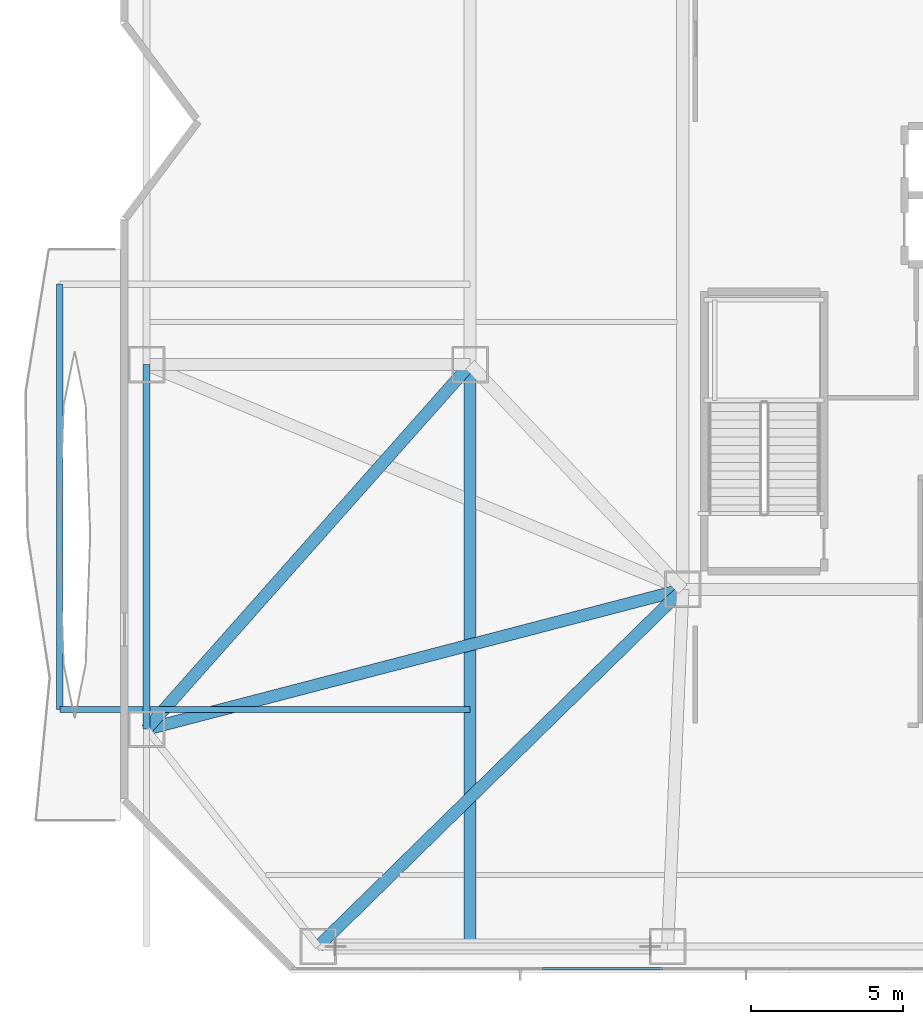
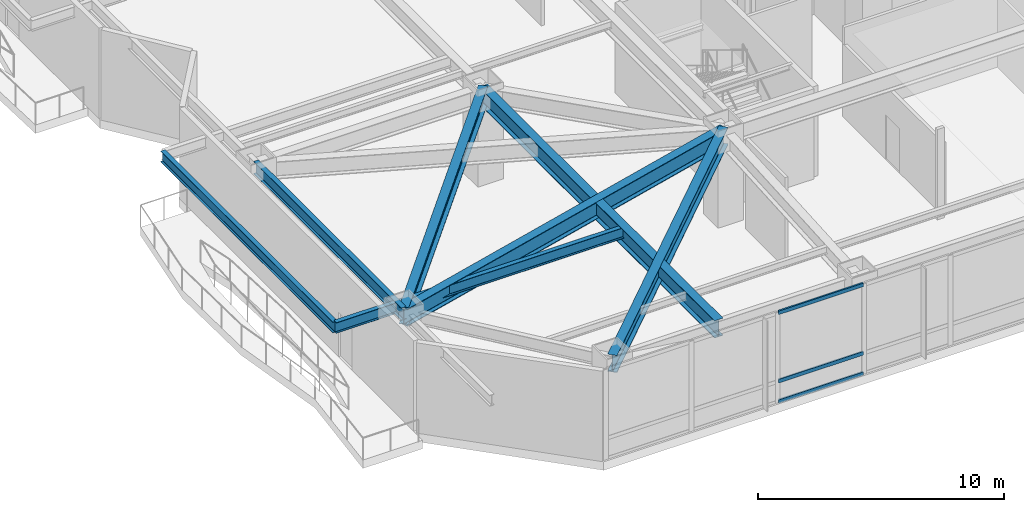
# One storey, part 3 of 33: 7 beams, 3 members, 1 element without a shape of its own.
"""IFC4 building model written with IfcOpenShell, lengths in metres."""

from ifc_helpers import new_model, si_unit, direction, frame, origin, origin_2d, place, context, subcontext, project, spatial, hollow_rectangle, i_section, extrude, material, material_profile, profile_set, type_object, element, aggregate, save


model = new_model("IFC4")

# Units and contexts
model_context = context("Model", 3, precision=1e-05, world=origin(), true_north=direction((0.0, 1.0)))
body_context = subcontext(model_context, "Body", "Model", "MODEL_VIEW")
ifc_project = project(units=[si_unit("LENGTHUNIT", "METRE"), si_unit("AREAUNIT", "SQUARE_METRE"), si_unit("VOLUMEUNIT", "CUBIC_METRE"), si_unit("PLANEANGLEUNIT", "RADIAN"), si_unit("MASSUNIT", "GRAM", prefix="KILO")], contexts=[model_context])

# Site, building, storey
site_placement = place(None, origin())
site = spatial("IfcSite", under=ifc_project, at=site_placement, CompositionType="ELEMENT")
building_placement = place(site_placement, origin())
building = spatial("IfcBuilding", under=site, at=building_placement, Name="Khamvora Tower", CompositionType="ELEMENT")
storey_placement = place(building_placement, frame((0.0, 0.0, 7.199951171875)))
storey = spatial("IfcBuildingStorey", under=building, at=storey_placement, Name="L01", CompositionType="ELEMENT", Elevation=7.199951171875)

# Beams
ifc_material_1 = material(Name="Steel S355", Category="steel")
ifc_material_profile_1 = material_profile(ifc_material_1, i_section(OverallWidth=0.39990234375, OverallDepth=0.85498046875, WebThickness=0.01806640625, FlangeThickness=0.029052734375, FilletRadius=0.01806640625, at=origin_2d()), Name="W840x299")
ifc_profile_set_1 = profile_set([ifc_material_profile_1], Name="Steel S355")
beam_type_1 = type_object("IfcBeamType", Name="BM-PG-W840x299", PredefinedType="BEAM", material=ifc_profile_set_1)
beam_1_placement = place(storey_placement, frame((18.5, 12.60009765625, 4.052001953125), z_axis=(-0.714510426493, -0.699624792608, 0.0), x_axis=(0.699624792608, -0.714510426493, 0.0)))
element("IfcBeam", 1, at=beam_1_placement, inside=storey, type_object=beam_type_1, Name="L01 primary floor girder P01", PredefinedType="BEAM", context=body_context, shape_type="SweptSolid", body=[
    extrude(i_section(OverallWidth=0.39990234375, OverallDepth=0.85498046875, WebThickness=0.01806640625, FlangeThickness=0.029052734375, FilletRadius=0.01806640625, at=origin_2d()), origin(), (0.0, 0.0, 1.0), 16.794677734375),
])
beam_2_placement = place(storey_placement, frame((11.5, 20.0, 4.052001953125), z_axis=(-0.6637799472, -0.747927925468, 0.0), x_axis=(0.747927925468, -0.6637799472, 0.0)))
element("IfcBeam", 2, at=beam_2_placement, inside=storey, type_object=beam_type_1, Name="L01 primary floor girder P09", PredefinedType="BEAM", context=body_context, shape_type="SweptSolid", body=[
    extrude(i_section(OverallWidth=0.39990234375, OverallDepth=0.85498046875, WebThickness=0.01806640625, FlangeThickness=0.029052734375, FilletRadius=0.01806640625, at=origin_2d()), origin(), (0.0, 0.0, 1.0), 16.04443359375),
])
beam_3_placement = place(storey_placement, frame((0.85009765625, 8.0, 4.052001953125), z_axis=(0.967673821538, 0.252205025942, 0.0), x_axis=(-0.252205025942, 0.967673821538, 0.0)))
element("IfcBeam", 3, at=beam_3_placement, inside=storey, type_object=beam_type_1, Name="L01 west plinth tie girder 1", PredefinedType="BEAM", context=body_context, shape_type="SweptSolid", body=[
    extrude(i_section(OverallWidth=0.39990234375, OverallDepth=0.85498046875, WebThickness=0.01806640625, FlangeThickness=0.029052734375, FilletRadius=0.01806640625, at=origin_2d()), origin(), (0.0, 0.0, 1.0), 18.239501953125),
])
beam_4_placement = place(storey_placement, frame((11.5, 0.85009765625, 4.052001953125), z_axis=(0.0, 1.0, 0.0), x_axis=(-1.0, 0.0, 0.0)))
element("IfcBeam", 4, at=beam_4_placement, inside=storey, type_object=beam_type_1, Name="L01 gallery collector girder W.1", PredefinedType="BEAM", context=body_context, shape_type="SweptSolid", body=[
    extrude(i_section(OverallWidth=0.39990234375, OverallDepth=0.85498046875, WebThickness=0.01806640625, FlangeThickness=0.029052734375, FilletRadius=0.01806640625, at=origin_2d()), origin(), (0.0, 0.0, 1.0), 19.14990234375),
])
ifc_material_profile_2 = material_profile(ifc_material_1, i_section(OverallWidth=0.208984375, OverallDepth=0.532958984375, WebThickness=0.010009765625, FlangeThickness=0.01611328125, FilletRadius=0.013916015625, at=origin_2d()), Name="W530x92")
ifc_profile_set_2 = profile_set([ifc_material_profile_2], Name="Steel S355")
beam_type_2 = type_object("IfcBeamType", Name="BM-SP-W530x92", PredefinedType="SPANDREL", material=ifc_profile_set_2)
beam_5_placement = place(storey_placement, frame((11.5, 8.64990234375, 4.113037109375), z_axis=(-1.0, 0.0, 0.0), x_axis=(0.0, -1.0, 0.0)))
element("IfcBeam", 5, at=beam_5_placement, inside=storey, type_object=beam_type_2, Name="L01 continuous gallery cantilever girder L02-WL1-1", PredefinedType="SPANDREL", context=body_context, shape_type="SweptSolid", body=[
    extrude(i_section(OverallWidth=0.208984375, OverallDepth=0.532958984375, WebThickness=0.010009765625, FlangeThickness=0.01611328125, FilletRadius=0.013916015625, at=origin_2d()), origin(), (0.0, 0.0, 1.0), 13.5),
])
beam_6_placement = place(storey_placement, frame((-2.0, 8.64990234375, 4.113037109375), z_axis=(0.0, 1.0, 0.0), x_axis=(-1.0, 0.0, 0.0)))
element("IfcBeam", 6, at=beam_6_placement, inside=storey, type_object=beam_type_2, Name="L01 external gallery edge header beam L02-WL1", PredefinedType="SPANDREL", context=body_context, shape_type="SweptSolid", body=[
    extrude(i_section(OverallWidth=0.208984375, OverallDepth=0.532958984375, WebThickness=0.010009765625, FlangeThickness=0.01611328125, FilletRadius=0.013916015625, at=origin_2d()), origin(), (0.0, 0.0, 1.0), 14.0),
])
ifc_material_profile_3 = material_profile(ifc_material_1, i_section(OverallWidth=0.22998046875, OverallDepth=0.616943359375, WebThickness=0.012939453125, FlangeThickness=0.02197265625, FilletRadius=0.013916015625, at=origin_2d()), Name="W610x140")
ifc_profile_set_3 = profile_set([ifc_material_profile_3], Name="Steel S355")
beam_type_3 = type_object("IfcBeamType", Name="BM-SP-W610x140", PredefinedType="SPANDREL", material=ifc_profile_set_3)
beam_7_placement = place(storey_placement, frame((0.85009765625, 20.0, 4.171142578125), z_axis=(0.0, -1.0, 0.0), x_axis=(1.0, 0.0, 0.0)))
element("IfcBeam", 7, at=beam_7_placement, inside=storey, type_object=beam_type_3, Name="L01 perimeter spandrel beam P10-P09", PredefinedType="SPANDREL", context=body_context, shape_type="SweptSolid", body=[
    extrude(i_section(OverallWidth=0.22998046875, OverallDepth=0.616943359375, WebThickness=0.012939453125, FlangeThickness=0.02197265625, FilletRadius=0.013916015625, at=origin_2d()), origin(), (0.0, 0.0, 1.0), 12.0),
])

# Curtain wall, members
ifc_material_2 = material(Name="Anodised Aluminium 6063-T6", Category="aluminium")
curtain_wall_type = type_object("IfcCurtainWallType", Name="CW-SYS-01", PredefinedType="NOTDEFINED", material=ifc_material_2)
curtain_wall_placement = place(storey_placement, origin())
curtain_wall = element("IfcCurtainWall", 8, at=curtain_wall_placement, inside=storey, type_object=curtain_wall_type, Name="L01 stick curtain wall 14.1", PredefinedType="NOTDEFINED")
ifc_material_profile_4 = material_profile(ifc_material_2, hollow_rectangle(XDim=0.074951171875, YDim=0.179931640625, WallThickness=0.0048828125, at=origin_2d()), Name="TRN75x180x5")
ifc_profile_set_4 = profile_set([ifc_material_profile_4], Name="Anodised Aluminium 6063-T6")
member_type = type_object("IfcMemberType", Name="CW-SYS-01-TRN", PredefinedType="USERDEFINED", material=ifc_profile_set_4)
member_1_placement = place(storey_placement, frame((17.83740234375, 0.1201171875, 0.03759765625), z_axis=(-1.0, 0.0, 0.0), x_axis=(0.0, -1.0, 0.0)))
member_1 = element("IfcMember", 9, at=member_1_placement, type_object=member_type, Name="CW-01 transom 9.1", ObjectType="TRANSOM", PredefinedType="USERDEFINED", context=body_context, shape_type="SweptSolid", body=[
    extrude(hollow_rectangle(XDim=0.074951171875, YDim=0.179931640625, WallThickness=0.0048828125, at=origin_2d()), origin(), (0.0, 0.0, 1.0), 3.974853515625),
])
member_2_placement = place(storey_placement, frame((17.83740234375, 0.1201171875, 1.050048828125), z_axis=(-1.0, 0.0, 0.0), x_axis=(0.0, -1.0, 0.0)))
member_2 = element("IfcMember", 10, at=member_2_placement, type_object=member_type, Name="CW-01 transom 9.2", ObjectType="TRANSOM", PredefinedType="USERDEFINED", context=body_context, shape_type="SweptSolid", body=[
    extrude(hollow_rectangle(XDim=0.074951171875, YDim=0.179931640625, WallThickness=0.0048828125, at=origin_2d()), origin(), (0.0, 0.0, 1.0), 3.974853515625),
])
member_3_placement = place(storey_placement, frame((17.83740234375, 0.1201171875, 4.442626953125), z_axis=(-1.0, 0.0, 0.0), x_axis=(0.0, -1.0, 0.0)))
member_3 = element("IfcMember", 11, at=member_3_placement, type_object=member_type, Name="CW-01 transom 9.3", ObjectType="TRANSOM", PredefinedType="USERDEFINED", context=body_context, shape_type="SweptSolid", body=[
    extrude(hollow_rectangle(XDim=0.074951171875, YDim=0.179931640625, WallThickness=0.0048828125, at=origin_2d()), origin(), (0.0, 0.0, 1.0), 3.974853515625),
])
aggregate(curtain_wall, [member_1, member_2, member_3])

save(model, "model.ifc")
